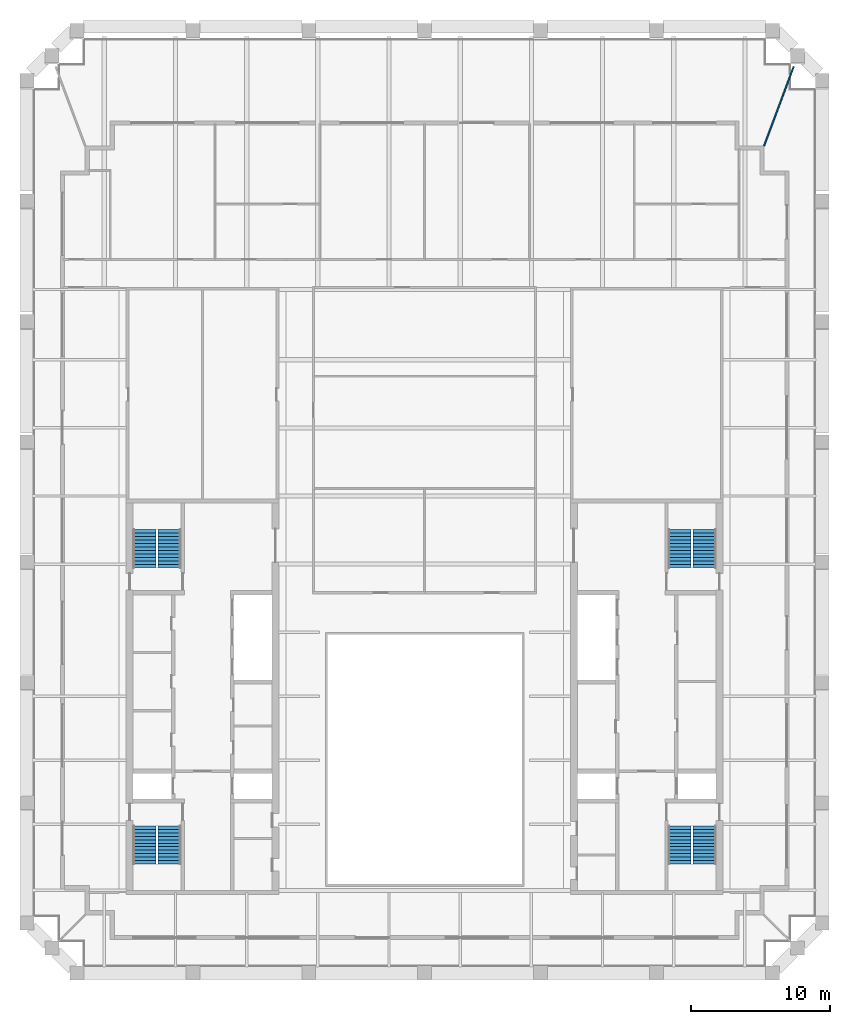
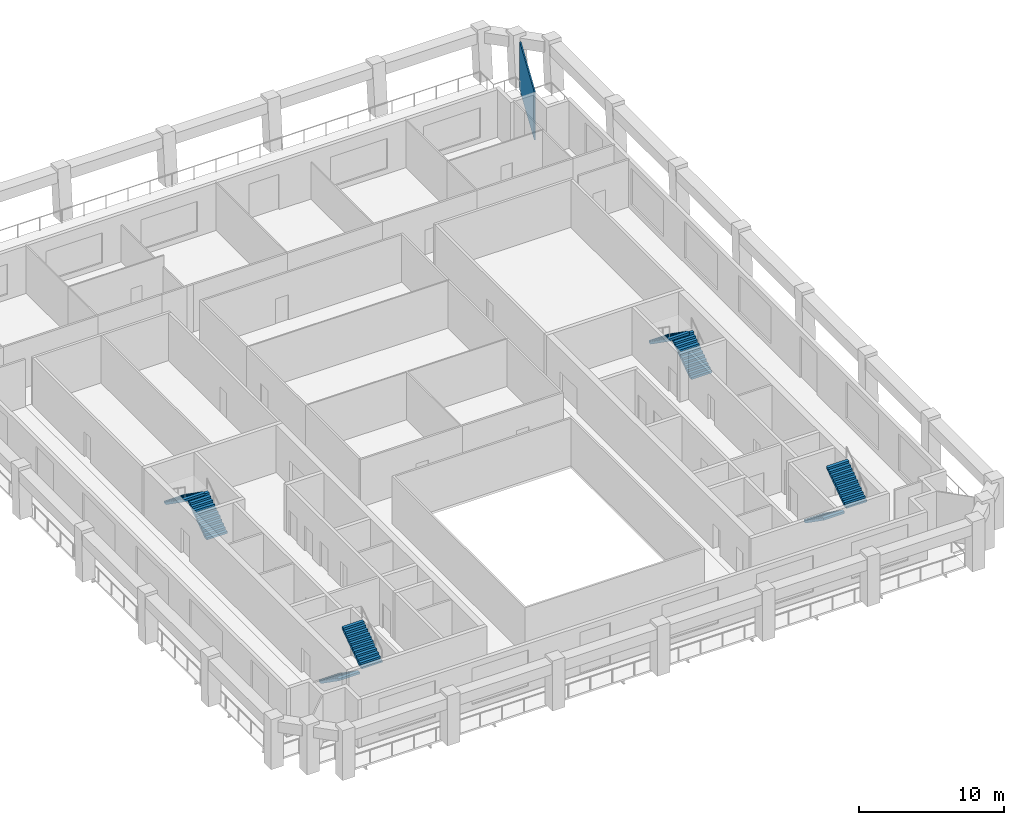
# One storey, part 7 of 9: 8 stair flights, 1 wall, 4 elements without a shape of their own.
"""IFC4 building model written with IfcOpenShell, lengths in metres."""

from ifc_helpers import new_model, si_unit, direction, frame, frame_2d, origin, place, context, subcontext, project, spatial, polyline, rectangle, outline, extrude, material, layer, layer_set, type_object, element, aggregate, save


model = new_model("IFC4")

# Units and contexts
model_context = context("Model", 3, precision=1e-05, world=origin(), true_north=direction((0.0, 1.0)))
body_context = subcontext(model_context, "Body", "Model", "MODEL_VIEW")
ifc_project = project(units=[si_unit("LENGTHUNIT", "METRE"), si_unit("AREAUNIT", "SQUARE_METRE"), si_unit("VOLUMEUNIT", "CUBIC_METRE"), si_unit("PLANEANGLEUNIT", "RADIAN"), si_unit("MASSUNIT", "GRAM", prefix="KILO")], contexts=[model_context])

# Site, building, storey
site_placement = place(None, origin())
site = spatial("IfcSite", under=ifc_project, at=site_placement, CompositionType="ELEMENT")
building_placement = place(site_placement, origin())
building = spatial("IfcBuilding", under=site, at=building_placement, Name="Ogive Exchange Tower", CompositionType="ELEMENT")
storey_placement = place(building_placement, frame((0.0, 0.0, 346.800048828125)))
storey = spatial("IfcBuildingStorey", under=building, at=storey_placement, Name="L76", CompositionType="ELEMENT", Elevation=346.800048828125)

# Wall
ifc_material_1 = material(Name="Laminated safety glass in steel frame", Category="steel")
ifc_layer = layer(ifc_material_1, 0.10009765625)
ifc_layer_set = layer_set([ifc_layer], Name="Loggia end screen 100")
wall_type = type_object("IfcWallType", Name="Loggia end screen 100", PredefinedType="STANDARD", material=ifc_layer_set)
wall_placement = place(storey_placement, frame((24.449951171875, 51.199951171875, -0.050048828125), z_axis=(0.0, 0.0, 1.0), x_axis=(0.352001800812, 0.93599932277, 0.0)))
element("IfcWall", 1, at=wall_placement, inside=storey, type_object=wall_type, Name="Loggia end screen C2", PredefinedType="STANDARD", context=body_context, shape_type="SweptSolid", body=[
    extrude(rectangle(XDim=6.091064453125, YDim=0.10009765625, at=frame_2d((3.04541015625, 0.0))), origin(), (0.0, 0.0, 1.0), 4.050048828125),
])

# Stair, stair flights
ifc_material_2 = material(Name="Concrete C40/50", Category="concrete")
stair_type = type_object("IfcStairType", Name="Exit stair 1650 wide", PredefinedType="HALF_TURN_STAIR", material=ifc_material_2)
stair_1_placement = place(storey_placement, origin())
stair_1 = element("IfcStair", 2, at=stair_1_placement, inside=storey, type_object=stair_type, Name="L76 exit stair ST1", PredefinedType="HALF_TURN_STAIR")
stair_flight_type = type_object("IfcStairFlightType", Name="Stair flight 1650 wide", PredefinedType="STRAIGHT", material=ifc_material_2)
stair_flight_1_placement = place(storey_placement, frame((-20.175048828125, 2.199951171875, 0.0), z_axis=(0.0, 0.0, 1.0), x_axis=(0.0, -1.0, 0.0)))
stair_flight_1 = element("IfcStairFlight", 3, at=stair_flight_1_placement, type_object=stair_flight_type, Name="ST1 flight 1", NumberOfRisers=12, NumberOfTreads=11, PredefinedType="STRAIGHT", RiserHeight=0.175, TreadLength=0.25, context=body_context, shape_type="SweptSolid", body=[
    extrude(outline(polyline([(0.0, 0.0), (0.0, 0.175048828125), (0.25, 0.175048828125), (0.25, 0.35009765625), (0.5, 0.35009765625), (0.5, 0.52490234375), (0.75, 0.52490234375), (0.75, 0.699951171875), (1.0, 0.699951171875), (1.0, 0.875), (1.25, 0.875), (1.25, 1.050048828125), (1.5, 1.050048828125), (1.5, 1.22509765625), (1.75, 1.22509765625), (1.75, 1.39990234375), (2.0, 1.39990234375), (2.0, 1.574951171875), (2.25, 1.574951171875), (2.25, 1.75), (2.5, 1.75), (2.5, 1.925048828125), (2.75, 1.925048828125), (2.75, 2.10009765625), (2.75, 1.741943359375), (0.261474609375, 0.0), (0.0, 0.0)])), frame((0.0, 0.824951171875, 0.0), z_axis=(0.0, -1.0, 0.0), x_axis=(1.0, 0.0, 0.0)), (0.0, 0.0, 1.0), 1.64990234375),
])
stair_flight_2_placement = place(storey_placement, frame((-18.375, -0.550048828125, 2.099853515625), z_axis=(0.0, 0.0, 1.0), x_axis=(0.0, 1.0, 0.0)))
stair_flight_2 = element("IfcStairFlight", 4, at=stair_flight_2_placement, type_object=stair_flight_type, Name="ST1 flight 2", NumberOfRisers=12, NumberOfTreads=11, PredefinedType="STRAIGHT", RiserHeight=0.175, TreadLength=0.25, context=body_context, shape_type="SweptSolid", body=[
    extrude(outline(polyline([(0.0, 0.0), (0.0, 0.175048828125), (0.25, 0.175048828125), (0.25, 0.35009765625), (0.5, 0.35009765625), (0.5, 0.52490234375), (0.75, 0.52490234375), (0.75, 0.699951171875), (1.0, 0.699951171875), (1.0, 0.875), (1.25, 0.875), (1.25, 1.050048828125), (1.5, 1.050048828125), (1.5, 1.22509765625), (1.75, 1.22509765625), (1.75, 1.39990234375), (2.0, 1.39990234375), (2.0, 1.574951171875), (2.25, 1.574951171875), (2.25, 1.75), (2.5, 1.75), (2.5, 1.925048828125), (2.75, 1.925048828125), (2.75, 2.10009765625), (2.75, 1.741943359375), (0.261474609375, 0.0), (0.0, 0.0)])), frame((0.0, 0.824951171875, 0.0), z_axis=(0.0, -1.0, 0.0), x_axis=(1.0, 0.0, 0.0)), (0.0, 0.0, 1.0), 1.64990234375),
])
aggregate(stair_1, [stair_flight_1, stair_flight_2])

stair_2_placement = place(storey_placement, origin())
stair_2 = element("IfcStair", 5, at=stair_2_placement, inside=storey, type_object=stair_type, Name="L76 exit stair ST2", PredefinedType="HALF_TURN_STAIR")
stair_flight_3_placement = place(storey_placement, frame((-18.375, 20.800048828125, 0.0), z_axis=(0.0, 0.0, 1.0), x_axis=(0.0, 1.0, 0.0)))
stair_flight_3 = element("IfcStairFlight", 6, at=stair_flight_3_placement, type_object=stair_flight_type, Name="ST2 flight 1", NumberOfRisers=12, NumberOfTreads=11, PredefinedType="STRAIGHT", RiserHeight=0.175, TreadLength=0.25, context=body_context, shape_type="SweptSolid", body=[
    extrude(outline(polyline([(0.0, 0.0), (0.0, 0.175048828125), (0.25, 0.175048828125), (0.25, 0.35009765625), (0.5, 0.35009765625), (0.5, 0.52490234375), (0.75, 0.52490234375), (0.75, 0.699951171875), (1.0, 0.699951171875), (1.0, 0.875), (1.25, 0.875), (1.25, 1.050048828125), (1.5, 1.050048828125), (1.5, 1.22509765625), (1.75, 1.22509765625), (1.75, 1.39990234375), (2.0, 1.39990234375), (2.0, 1.574951171875), (2.25, 1.574951171875), (2.25, 1.75), (2.5, 1.75), (2.5, 1.925048828125), (2.75, 1.925048828125), (2.75, 2.10009765625), (2.75, 1.741943359375), (0.261474609375, 0.0), (0.0, 0.0)])), frame((0.0, 0.824951171875, 0.0), z_axis=(0.0, -1.0, 0.0), x_axis=(1.0, 0.0, 0.0)), (0.0, 0.0, 1.0), 1.64990234375),
])
stair_flight_4_placement = place(storey_placement, frame((-20.175048828125, 23.550048828125, 2.099853515625), z_axis=(0.0, 0.0, 1.0), x_axis=(0.0, -1.0, 0.0)))
stair_flight_4 = element("IfcStairFlight", 7, at=stair_flight_4_placement, type_object=stair_flight_type, Name="ST2 flight 2", NumberOfRisers=12, NumberOfTreads=11, PredefinedType="STRAIGHT", RiserHeight=0.175, TreadLength=0.25, context=body_context, shape_type="SweptSolid", body=[
    extrude(outline(polyline([(0.0, 0.0), (0.0, 0.175048828125), (0.25, 0.175048828125), (0.25, 0.35009765625), (0.5, 0.35009765625), (0.5, 0.52490234375), (0.75, 0.52490234375), (0.75, 0.699951171875), (1.0, 0.699951171875), (1.0, 0.875), (1.25, 0.875), (1.25, 1.050048828125), (1.5, 1.050048828125), (1.5, 1.22509765625), (1.75, 1.22509765625), (1.75, 1.39990234375), (2.0, 1.39990234375), (2.0, 1.574951171875), (2.25, 1.574951171875), (2.25, 1.75), (2.5, 1.75), (2.5, 1.925048828125), (2.75, 1.925048828125), (2.75, 2.10009765625), (2.75, 1.741943359375), (0.261474609375, 0.0), (0.0, 0.0)])), frame((0.0, 0.824951171875, 0.0), z_axis=(0.0, -1.0, 0.0), x_axis=(1.0, 0.0, 0.0)), (0.0, 0.0, 1.0), 1.64990234375),
])
aggregate(stair_2, [stair_flight_3, stair_flight_4])

stair_3_placement = place(storey_placement, origin())
stair_3 = element("IfcStair", 8, at=stair_3_placement, inside=storey, type_object=stair_type, Name="L76 exit stair ST3", PredefinedType="HALF_TURN_STAIR")
stair_flight_5_placement = place(storey_placement, frame((18.375, 2.199951171875, 0.0), z_axis=(0.0, 0.0, 1.0), x_axis=(0.0, -1.0, 0.0)))
stair_flight_5 = element("IfcStairFlight", 9, at=stair_flight_5_placement, type_object=stair_flight_type, Name="ST3 flight 1", NumberOfRisers=12, NumberOfTreads=11, PredefinedType="STRAIGHT", RiserHeight=0.175, TreadLength=0.25, context=body_context, shape_type="SweptSolid", body=[
    extrude(outline(polyline([(0.0, 0.0), (0.0, 0.175048828125), (0.25, 0.175048828125), (0.25, 0.35009765625), (0.5, 0.35009765625), (0.5, 0.52490234375), (0.75, 0.52490234375), (0.75, 0.699951171875), (1.0, 0.699951171875), (1.0, 0.875), (1.25, 0.875), (1.25, 1.050048828125), (1.5, 1.050048828125), (1.5, 1.22509765625), (1.75, 1.22509765625), (1.75, 1.39990234375), (2.0, 1.39990234375), (2.0, 1.574951171875), (2.25, 1.574951171875), (2.25, 1.75), (2.5, 1.75), (2.5, 1.925048828125), (2.75, 1.925048828125), (2.75, 2.10009765625), (2.75, 1.741943359375), (0.261474609375, 0.0), (0.0, 0.0)])), frame((0.0, 0.824951171875, 0.0), z_axis=(0.0, -1.0, 0.0), x_axis=(1.0, 0.0, 0.0)), (0.0, 0.0, 1.0), 1.64990234375),
])
stair_flight_6_placement = place(storey_placement, frame((20.175048828125, -0.550048828125, 2.099853515625), z_axis=(0.0, 0.0, 1.0), x_axis=(0.0, 1.0, 0.0)))
stair_flight_6 = element("IfcStairFlight", 10, at=stair_flight_6_placement, type_object=stair_flight_type, Name="ST3 flight 2", NumberOfRisers=12, NumberOfTreads=11, PredefinedType="STRAIGHT", RiserHeight=0.175, TreadLength=0.25, context=body_context, shape_type="SweptSolid", body=[
    extrude(outline(polyline([(0.0, 0.0), (0.0, 0.175048828125), (0.25, 0.175048828125), (0.25, 0.35009765625), (0.5, 0.35009765625), (0.5, 0.52490234375), (0.75, 0.52490234375), (0.75, 0.699951171875), (1.0, 0.699951171875), (1.0, 0.875), (1.25, 0.875), (1.25, 1.050048828125), (1.5, 1.050048828125), (1.5, 1.22509765625), (1.75, 1.22509765625), (1.75, 1.39990234375), (2.0, 1.39990234375), (2.0, 1.574951171875), (2.25, 1.574951171875), (2.25, 1.75), (2.5, 1.75), (2.5, 1.925048828125), (2.75, 1.925048828125), (2.75, 2.10009765625), (2.75, 1.741943359375), (0.261474609375, 0.0), (0.0, 0.0)])), frame((0.0, 0.824951171875, 0.0), z_axis=(0.0, -1.0, 0.0), x_axis=(1.0, 0.0, 0.0)), (0.0, 0.0, 1.0), 1.64990234375),
])
aggregate(stair_3, [stair_flight_5, stair_flight_6])

stair_4_placement = place(storey_placement, origin())
stair_4 = element("IfcStair", 11, at=stair_4_placement, inside=storey, type_object=stair_type, Name="L76 exit stair ST4", PredefinedType="HALF_TURN_STAIR")
stair_flight_7_placement = place(storey_placement, frame((20.175048828125, 20.800048828125, 0.0), z_axis=(0.0, 0.0, 1.0), x_axis=(0.0, 1.0, 0.0)))
stair_flight_7 = element("IfcStairFlight", 12, at=stair_flight_7_placement, type_object=stair_flight_type, Name="ST4 flight 1", NumberOfRisers=12, NumberOfTreads=11, PredefinedType="STRAIGHT", RiserHeight=0.175, TreadLength=0.25, context=body_context, shape_type="SweptSolid", body=[
    extrude(outline(polyline([(0.0, 0.0), (0.0, 0.175048828125), (0.25, 0.175048828125), (0.25, 0.35009765625), (0.5, 0.35009765625), (0.5, 0.52490234375), (0.75, 0.52490234375), (0.75, 0.699951171875), (1.0, 0.699951171875), (1.0, 0.875), (1.25, 0.875), (1.25, 1.050048828125), (1.5, 1.050048828125), (1.5, 1.22509765625), (1.75, 1.22509765625), (1.75, 1.39990234375), (2.0, 1.39990234375), (2.0, 1.574951171875), (2.25, 1.574951171875), (2.25, 1.75), (2.5, 1.75), (2.5, 1.925048828125), (2.75, 1.925048828125), (2.75, 2.10009765625), (2.75, 1.741943359375), (0.261474609375, 0.0), (0.0, 0.0)])), frame((0.0, 0.824951171875, 0.0), z_axis=(0.0, -1.0, 0.0), x_axis=(1.0, 0.0, 0.0)), (0.0, 0.0, 1.0), 1.64990234375),
])
stair_flight_8_placement = place(storey_placement, frame((18.375, 23.550048828125, 2.099853515625), z_axis=(0.0, 0.0, 1.0), x_axis=(0.0, -1.0, 0.0)))
stair_flight_8 = element("IfcStairFlight", 13, at=stair_flight_8_placement, type_object=stair_flight_type, Name="ST4 flight 2", NumberOfRisers=12, NumberOfTreads=11, PredefinedType="STRAIGHT", RiserHeight=0.175, TreadLength=0.25, context=body_context, shape_type="SweptSolid", body=[
    extrude(outline(polyline([(0.0, 0.0), (0.0, 0.175048828125), (0.25, 0.175048828125), (0.25, 0.35009765625), (0.5, 0.35009765625), (0.5, 0.52490234375), (0.75, 0.52490234375), (0.75, 0.699951171875), (1.0, 0.699951171875), (1.0, 0.875), (1.25, 0.875), (1.25, 1.050048828125), (1.5, 1.050048828125), (1.5, 1.22509765625), (1.75, 1.22509765625), (1.75, 1.39990234375), (2.0, 1.39990234375), (2.0, 1.574951171875), (2.25, 1.574951171875), (2.25, 1.75), (2.5, 1.75), (2.5, 1.925048828125), (2.75, 1.925048828125), (2.75, 2.10009765625), (2.75, 1.741943359375), (0.261474609375, 0.0), (0.0, 0.0)])), frame((0.0, 0.824951171875, 0.0), z_axis=(0.0, -1.0, 0.0), x_axis=(1.0, 0.0, 0.0)), (0.0, 0.0, 1.0), 1.64990234375),
])
aggregate(stair_4, [stair_flight_7, stair_flight_8])

save(model, "model.ifc")
